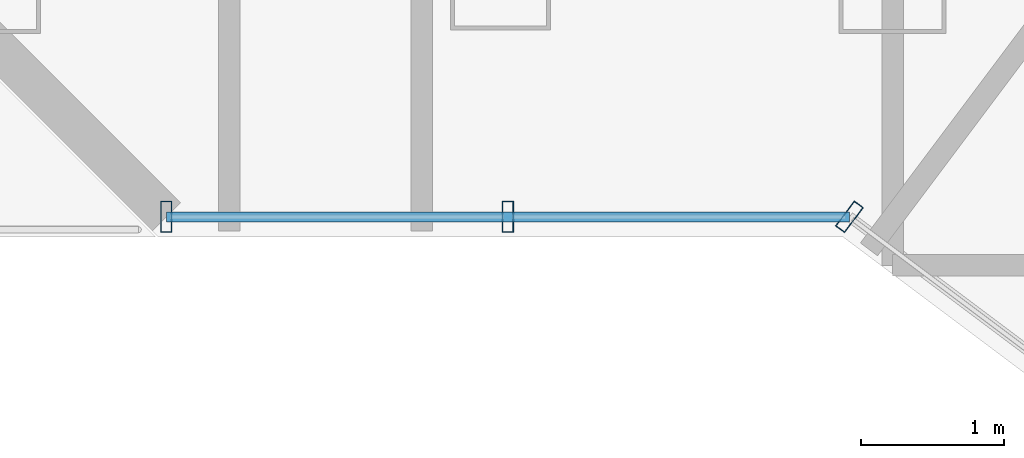
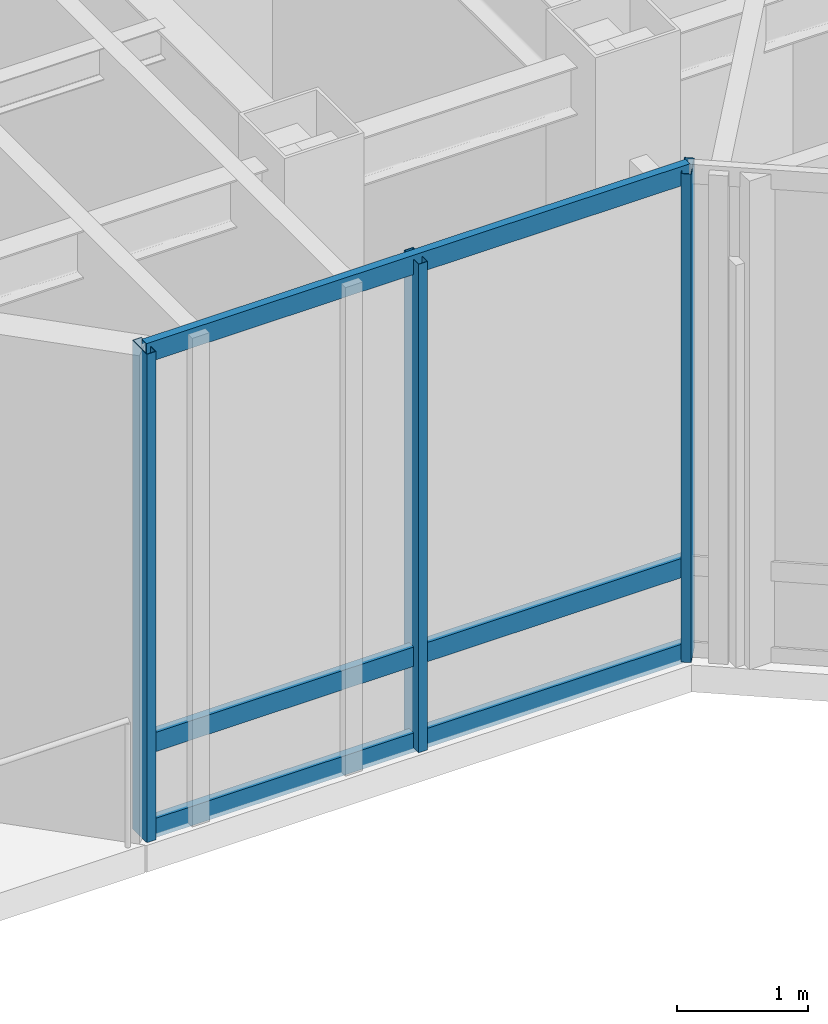
# One storey, part 2 of 21: 6 members, 2 elements without a shape of their own.
"""IFC4 building model written with IfcOpenShell, lengths in metres."""

from ifc_helpers import new_model, si_unit, direction, frame, origin, origin_2d, place, context, subcontext, project, spatial, hollow_rectangle, extrude, material, layer, layer_set, material_profile, profile_set, type_object, element, aggregate, save


model = new_model("IFC4")

# Units and contexts
model_context = context("Model", 3, precision=1e-05, world=origin(), true_north=direction((0.0, 1.0)))
body_context = subcontext(model_context, "Body", "Model", "MODEL_VIEW")
ifc_project = project(units=[si_unit("LENGTHUNIT", "METRE"), si_unit("AREAUNIT", "SQUARE_METRE"), si_unit("VOLUMEUNIT", "CUBIC_METRE"), si_unit("PLANEANGLEUNIT", "RADIAN"), si_unit("MASSUNIT", "GRAM", prefix="KILO")], contexts=[model_context])

# Site, building, storey
site_placement = place(None, origin())
site = spatial("IfcSite", under=ifc_project, at=site_placement, CompositionType="ELEMENT")
building_placement = place(site_placement, origin())
building = spatial("IfcBuilding", under=site, at=building_placement, Name="Hatsunagi Terrace Concourse", CompositionType="ELEMENT")
storey_placement = place(building_placement, frame((0.0, 0.0, 186.75)))
storey = spatial("IfcBuildingStorey", under=building, at=storey_placement, Name="L49", CompositionType="ELEMENT", Elevation=186.75)

# Curtain wall, member
ifc_material_1 = material(Name="Anodised Aluminium Alloy 6063-T5", Category="aluminium")
ifc_layer = layer(ifc_material_1, 0.199951171875)
ifc_layer_set = layer_set([ifc_layer], Name="SkyLobbyAtrium_CW05")
curtain_wall_type = type_object("IfcCurtainWallType", Name="SkyLobbyAtrium_CW05", PredefinedType="NOTDEFINED", material=ifc_layer_set)
curtain_wall_1_placement = place(storey_placement, origin())
curtain_wall_1 = element("IfcCurtainWall", 1, at=curtain_wall_1_placement, inside=storey, type_object=curtain_wall_type, Name="Unitised Curtain Wall CW-05 CW-L49-05", PredefinedType="NOTDEFINED")
ifc_material_2 = material(Name="Anodised Aluminium Alloy 6063-T5", Category="aluminium")
ifc_material_profile_1 = material_profile(ifc_material_2, hollow_rectangle(XDim=0.080078125, YDim=0.219970703125, WallThickness=0.0048828125, at=origin_2d()), Name="ALU-MUL-220x80x5")
ifc_profile_set_1 = profile_set([ifc_material_profile_1], Name="Anodised Aluminium Alloy 6063-T5")
member_type_1 = type_object("IfcMemberType", Name="CurtainWallMullion_Heavy_220x80", PredefinedType="MULLION", material=ifc_profile_set_1)
member_1_placement = place(storey_placement, frame((25.2470703125, 23.5400390625, 0.0), z_axis=(0.0, 0.0, 1.0), x_axis=(-0.800005211305, 0.599993051531, 0.0)))
member_1 = element("IfcMember", 2, at=member_1_placement, type_object=member_type_1, Name="Curtain Wall Mullion MUL-01", PredefinedType="MULLION", context=body_context, shape_type="SweptSolid", body=[
    extrude(hollow_rectangle(XDim=0.080078125, YDim=0.219970703125, WallThickness=0.0048828125, at=origin_2d()), origin(), (0.0, 0.0, 1.0), 4.550048828125),
])
aggregate(curtain_wall_1, [member_1])

# Curtain wall, members
curtain_wall_2_placement = place(storey_placement, origin())
curtain_wall_2 = element("IfcCurtainWall", 3, at=curtain_wall_2_placement, inside=storey, type_object=curtain_wall_type, Name="Unitised Curtain Wall CW-05 CW-L49-06", PredefinedType="NOTDEFINED")
member_2_placement = place(storey_placement, frame((22.85205078125, 23.5400390625, 0.0), z_axis=(0.0, 0.0, 1.0), x_axis=(-1.0, 0.0, 0.0)))
member_2 = element("IfcMember", 4, at=member_2_placement, type_object=member_type_1, Name="Curtain Wall Mullion MUL-01", PredefinedType="MULLION", context=body_context, shape_type="SweptSolid", body=[
    extrude(hollow_rectangle(XDim=0.080078125, YDim=0.219970703125, WallThickness=0.0048828125, at=origin_2d()), origin(), (0.0, 0.0, 1.0), 4.550048828125),
])
member_3_placement = place(storey_placement, frame((20.4580078125, 23.5400390625, 0.0), z_axis=(0.0, 0.0, 1.0), x_axis=(-1.0, 0.0, 0.0)))
member_3 = element("IfcMember", 5, at=member_3_placement, type_object=member_type_1, Name="Curtain Wall Mullion MUL-01", PredefinedType="MULLION", context=body_context, shape_type="SweptSolid", body=[
    extrude(hollow_rectangle(XDim=0.080078125, YDim=0.219970703125, WallThickness=0.0048828125, at=origin_2d()), origin(), (0.0, 0.0, 1.0), 4.550048828125),
])
ifc_material_3 = material(Name="Anodised Aluminium Alloy 6063-T5", Category="aluminium")
ifc_material_profile_2 = material_profile(ifc_material_3, hollow_rectangle(XDim=0.070068359375, YDim=0.179931640625, WallThickness=0.00390625, at=origin_2d()), Name="ALU-TRN-180x70x4")
ifc_profile_set_2 = profile_set([ifc_material_profile_2], Name="Anodised Aluminium Alloy 6063-T5")
member_type_2 = type_object("IfcMemberType", Name="CurtainWallTransom_Heavy_180x70", PredefinedType="USERDEFINED", material=ifc_profile_set_2)
member_4_placement = place(storey_placement, frame((25.2470703125, 23.5400390625, 0.050048828125), z_axis=(-1.0, 0.0, 0.0), x_axis=(0.0, -1.0, 0.0)))
member_4 = element("IfcMember", 6, at=member_4_placement, type_object=member_type_2, Name="Curtain Wall Transom TRN-01", ObjectType="TRANSOM", PredefinedType="USERDEFINED", context=body_context, shape_type="SweptSolid", body=[
    extrude(hollow_rectangle(XDim=0.070068359375, YDim=0.179931640625, WallThickness=0.00390625, at=origin_2d()), origin(), (0.0, 0.0, 1.0), 4.7890625),
])
member_5_placement = place(storey_placement, frame((25.2470703125, 23.5400390625, 0.85009765625), z_axis=(-1.0, 0.0, 0.0), x_axis=(0.0, -1.0, 0.0)))
member_5 = element("IfcMember", 7, at=member_5_placement, type_object=member_type_2, Name="Curtain Wall Transom TRN-01", ObjectType="TRANSOM", PredefinedType="USERDEFINED", context=body_context, shape_type="SweptSolid", body=[
    extrude(hollow_rectangle(XDim=0.070068359375, YDim=0.179931640625, WallThickness=0.00390625, at=origin_2d()), origin(), (0.0, 0.0, 1.0), 4.7890625),
])
member_6_placement = place(storey_placement, frame((25.2470703125, 23.5400390625, 4.5), z_axis=(-1.0, 0.0, 0.0), x_axis=(0.0, -1.0, 0.0)))
member_6 = element("IfcMember", 8, at=member_6_placement, type_object=member_type_2, Name="Curtain Wall Transom TRN-01", ObjectType="TRANSOM", PredefinedType="USERDEFINED", context=body_context, shape_type="SweptSolid", body=[
    extrude(hollow_rectangle(XDim=0.070068359375, YDim=0.179931640625, WallThickness=0.00390625, at=origin_2d()), origin(), (0.0, 0.0, 1.0), 4.7890625),
])
aggregate(curtain_wall_2, [member_2, member_3, member_4, member_5, member_6])

save(model, "model.ifc")
